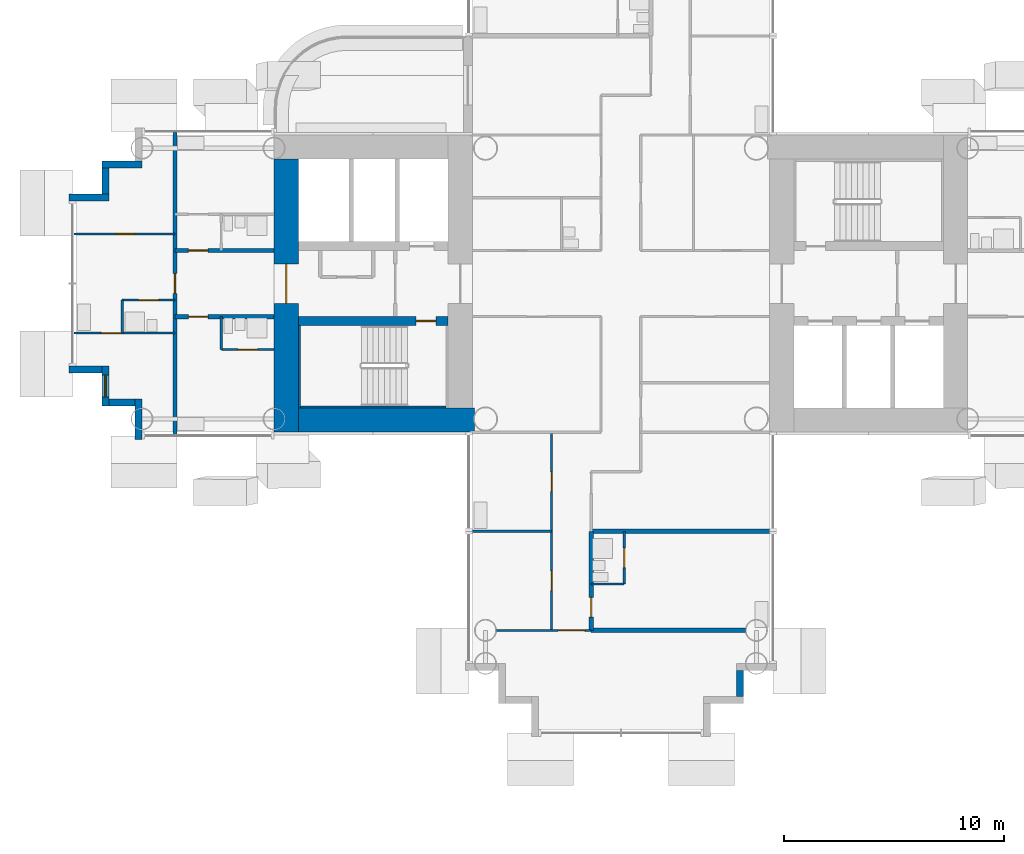
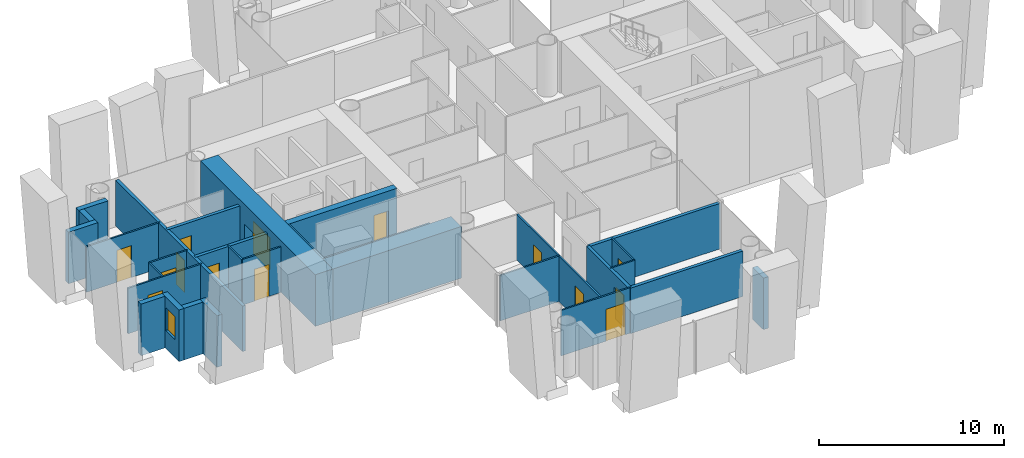
# One storey, part 10 of 25: 30 walls, 14 doors, 1 window, 15 openings.
"""IFC4 building model written with IfcOpenShell, lengths in metres."""

from ifc_helpers import new_model, si_unit, direction, frame, frame_2d, origin, place, context, subcontext, project, spatial, rectangle, extrude, material, layer, layer_set, type_object, element, fill, save


model = new_model("IFC4")

# Units and contexts
model_context = context("Model", 3, precision=1e-05, world=origin(), true_north=direction((0.0, 1.0)))
body_context = subcontext(model_context, "Body", "Model", "MODEL_VIEW")
ifc_project = project(units=[si_unit("LENGTHUNIT", "METRE"), si_unit("AREAUNIT", "SQUARE_METRE"), si_unit("VOLUMEUNIT", "CUBIC_METRE"), si_unit("PLANEANGLEUNIT", "RADIAN"), si_unit("MASSUNIT", "GRAM", prefix="KILO")], contexts=[model_context])

# Site, building, storey
site_placement = place(None, origin())
site = spatial("IfcSite", under=ifc_project, at=site_placement, CompositionType="ELEMENT")
building_placement = place(site_placement, origin())
building = spatial("IfcBuilding", under=site, at=building_placement, Name="Ipe Terrace Towers", CompositionType="ELEMENT")
storey_placement = place(building_placement, frame((0.0, 0.0, 58.5)))
storey = spatial("IfcBuildingStorey", under=building, at=storey_placement, Name="L15", CompositionType="ELEMENT", Elevation=58.5)

# Wall
ifc_material_1 = material(Name="Concrete C40/50 with buff precast cladding", Category="concrete")
ifc_layer_1 = layer(ifc_material_1, 0.320068359375)
ifc_layer_set_1 = layer_set([ifc_layer_1], Name="BUFF CLADDING WALL 320")
wall_type_1 = type_object("IfcWallType", Name="BUFF CLADDING WALL 320", PredefinedType="STANDARD", material=ifc_layer_set_1)
wall_1_placement = place(storey_placement, frame((-61.070068359375, -3.909912109375, -0.300048828125), z_axis=(0.0, 0.0, 1.0), x_axis=(1.0, 0.0, 0.0)))
element("IfcWall", 1, at=wall_1_placement, inside=storey, type_object=wall_type_1, Name="T1-W-L15-00a wall", PredefinedType="STANDARD", context=body_context, shape_type="SweptSolid", body=[
    extrude(rectangle(XDim=1.5, YDim=0.320068359375, at=frame_2d((0.75, 0.0))), origin(), (0.0, 0.0, 1.0), 3.400146484375),
])

# Wall, opening, window
wall_2_placement = place(storey_placement, frame((-59.409912109375, -3.75, -0.300048828125), z_axis=(0.0, 0.0, 1.0), x_axis=(0.0, -1.0, 0.0)))
wall_2 = element("IfcWall", 2, at=wall_2_placement, inside=storey, type_object=wall_type_1, Name="T1-W-L15-01a wall", PredefinedType="STANDARD", context=body_context, shape_type="SweptSolid", body=[
    extrude(rectangle(XDim=1.820068359375, YDim=0.320068359375, at=frame_2d((0.91015625, 0.0))), origin(), (0.0, 0.0, 1.0), 3.400146484375),
])
opening_1_placement = place(wall_2_placement, frame((0.409912109375, 0.0, 1.199951171875)))
opening_1 = element("IfcOpeningElement", 3, at=opening_1_placement, cuts=wall_2, Name="Opening T1-W-05-L15-01", PredefinedType="OPENING", context=body_context, shape_type="SweptSolid", body=[
    extrude(rectangle(XDim=1.0, YDim=1.5, at=frame_2d((0.5, 0.75))), frame((0.0, 0.169921875, 0.0), z_axis=(0.0, -1.0, 0.0), x_axis=(1.0, 0.0, 0.0)), (0.0, 0.0, 1.0), 0.340087890625),
])
ifc_material_2 = material(Name="Glass, clear laminated", Category="glass")
window_type = type_object("IfcWindowType", Name="DWELLING WINDOW 1000 x 1500", PartitioningType="SINGLE_PANEL", PredefinedType="WINDOW", material=ifc_material_2)
window_placement = place(opening_1_placement, origin())
window = element("IfcWindow", 4, at=window_placement, inside=storey, type_object=window_type, Name="W-05 window", OverallHeight=1.5, OverallWidth=1.0, PartitioningType="SINGLE_PANEL", PredefinedType="WINDOW", context=body_context, shape_type="SweptSolid", body=[
    extrude(rectangle(XDim=1.0, YDim=1.5, at=frame_2d((0.5, 0.75))), frame((0.0, 0.030029296875, 0.0), z_axis=(0.0, -1.0, 0.0), x_axis=(1.0, 0.0, 0.0)), (0.0, 0.0, 1.0), 0.06005859375),
])
fill(opening_1, window)

# Walls
wall_3_placement = place(storey_placement, frame((-59.25, -5.409912109375, -0.300048828125), z_axis=(0.0, 0.0, 1.0), x_axis=(1.0, 0.0, 0.0)))
element("IfcWall", 5, at=wall_3_placement, inside=storey, type_object=wall_type_1, Name="T1-W-L15-02a wall", PredefinedType="STANDARD", context=body_context, shape_type="SweptSolid", body=[
    extrude(rectangle(XDim=1.179931640625, YDim=0.320068359375, at=frame_2d((0.58984375, 0.0))), origin(), (0.0, 0.0, 1.0), 3.400146484375),
])
wall_4_placement = place(storey_placement, frame((-57.909912109375, -5.25, -0.300048828125), z_axis=(0.0, 0.0, 1.0), x_axis=(0.0, -1.0, 0.0)))
element("IfcWall", 6, at=wall_4_placement, inside=storey, type_object=wall_type_1, Name="T1-W-L15-03a wall", PredefinedType="STANDARD", context=body_context, shape_type="SweptSolid", body=[
    extrude(rectangle(XDim=1.820068359375, YDim=0.320068359375, at=frame_2d((0.91015625, 0.0))), origin(), (0.0, 0.0, 1.0), 3.400146484375),
])
wall_5_placement = place(storey_placement, frame((-30.590087890625, -18.75, -0.300048828125), z_axis=(0.0, 0.0, 1.0), x_axis=(0.0, 1.0, 0.0)))
element("IfcWall", 7, at=wall_5_placement, inside=storey, type_object=wall_type_1, Name="T1-W-L15-15a wall", PredefinedType="STANDARD", context=body_context, shape_type="SweptSolid", body=[
    extrude(rectangle(XDim=1.179931640625, YDim=0.320068359375, at=frame_2d((0.58984375, 0.0))), origin(), (0.0, 0.0, 1.0), 3.400146484375),
])
wall_6_placement = place(storey_placement, frame((-57.75, 5.409912109375, -0.300048828125), z_axis=(0.0, 0.0, 1.0), x_axis=(-1.0, 0.0, 0.0)))
element("IfcWall", 8, at=wall_6_placement, inside=storey, type_object=wall_type_1, Name="T1-W-L15-48a wall", PredefinedType="STANDARD", context=body_context, shape_type="SweptSolid", body=[
    extrude(rectangle(XDim=1.820068359375, YDim=0.320068359375, at=frame_2d((0.91015625, 0.0))), origin(), (0.0, 0.0, 1.0), 3.400146484375),
])
wall_7_placement = place(storey_placement, frame((-59.409912109375, 5.25, -0.300048828125), z_axis=(0.0, 0.0, 1.0), x_axis=(0.0, -1.0, 0.0)))
element("IfcWall", 9, at=wall_7_placement, inside=storey, type_object=wall_type_1, Name="T1-W-L15-49a wall", PredefinedType="STANDARD", context=body_context, shape_type="SweptSolid", body=[
    extrude(rectangle(XDim=1.179931640625, YDim=0.320068359375, at=frame_2d((0.58984375, 0.0))), origin(), (0.0, 0.0, 1.0), 3.400146484375),
])
wall_8_placement = place(storey_placement, frame((-59.25, 3.909912109375, -0.300048828125), z_axis=(0.0, 0.0, 1.0), x_axis=(-1.0, 0.0, 0.0)))
element("IfcWall", 10, at=wall_8_placement, inside=storey, type_object=wall_type_1, Name="T1-W-L15-50a wall", PredefinedType="STANDARD", context=body_context, shape_type="SweptSolid", body=[
    extrude(rectangle(XDim=1.820068359375, YDim=0.320068359375, at=frame_2d((0.91015625, 0.0))), origin(), (0.0, 0.0, 1.0), 3.400146484375),
])
ifc_material_3 = material(Name="Gypsum board partition", Category="plasterboard")
ifc_layer_2 = layer(ifc_material_3, 0.10009765625)
ifc_layer_set_2 = layer_set([ifc_layer_2], Name="Gypsum board partition 100 mm")
wall_type_2 = type_object("IfcWallType", Name="Gypsum board partition 100 mm", PredefinedType="PARTITIONING", material=ifc_layer_set_2)
for number, where, z_axis, x_axis, name in (
    (11, (-58.64990234375, -2.25, 0.0), (0.0, 0.0, 1.0), (0.0, 1.0, 0.0), "Gypsum board partition T1 L15 W01"),
    (12, (-54.14990234375, -3.0, 0.0), (0.0, 0.0, 1.0), (0.0, 1.0, 0.0), "Gypsum board partition T1 L15 W03"),
):
    element("IfcWall", number, at=place(storey_placement, frame(where, z_axis=z_axis, x_axis=x_axis)), inside=storey, type_object=wall_type_2, Name=name, PredefinedType="PARTITIONING", context=body_context, shape_type="SweptSolid", body=[
        extrude(rectangle(XDim=1.5, YDim=0.10009765625, at=frame_2d((0.75, 0.0))), origin(), (0.0, 0.0, 1.0), 3.0),
    ])

# Wall, openings, doors
wall_9_placement = place(storey_placement, frame((-39.14990234375, -15.75, 0.0), z_axis=(0.0, 0.0, 1.0), x_axis=(0.0, 1.0, 0.0)))
wall_9 = element("IfcWall", 13, at=wall_9_placement, inside=storey, type_object=wall_type_2, Name="Gypsum board partition T1 L15 W05", PredefinedType="PARTITIONING", context=body_context, shape_type="SweptSolid", body=[
    extrude(rectangle(XDim=9.0, YDim=0.10009765625, at=frame_2d((4.5, 0.0))), origin(), (0.0, 0.0, 1.0), 3.0),
])
opening_2_placement = place(wall_9_placement, frame((6.300048828125, 0.0, 0.0)))
opening_2 = element("IfcOpeningElement", 14, at=opening_2_placement, cuts=wall_9, Name="Opening T1-Z1D-18", PredefinedType="OPENING", context=body_context, shape_type="SweptSolid", body=[
    extrude(rectangle(XDim=0.89990234375, YDim=2.10009765625, at=frame_2d((0.449951171875, 1.050048828125))), frame((0.0, 0.06005859375, 0.0), z_axis=(0.0, -1.0, 0.0), x_axis=(1.0, 0.0, 0.0)), (0.0, 0.0, 1.0), 0.1201171875),
])
opening_3_placement = place(wall_9_placement, frame((1.800048828125, 0.0, 0.0)))
opening_3 = element("IfcOpeningElement", 15, at=opening_3_placement, cuts=wall_9, Name="Opening T1-Z1D-19", PredefinedType="OPENING", context=body_context, shape_type="SweptSolid", body=[
    extrude(rectangle(XDim=0.89990234375, YDim=2.10009765625, at=frame_2d((0.449951171875, 1.050048828125))), frame((0.0, 0.06005859375, 0.0), z_axis=(0.0, -1.0, 0.0), x_axis=(1.0, 0.0, 0.0)), (0.0, 0.0, 1.0), 0.1201171875),
])
ifc_material_4 = material(Name="Timber door leaf", Category="wood")
door_type_1 = type_object("IfcDoorType", Name="Lounge door 900 x 2100", OperationType="NOTDEFINED", PredefinedType="DOOR", material=ifc_material_4)
door_1_placement = place(opening_2_placement, origin())
door_1 = element("IfcDoor", 16, at=door_1_placement, inside=storey, type_object=door_type_1, Name="Lounge door T1-Z1D-18", OperationType="SINGLE_SWING_LEFT", OverallHeight=2.10009765625, OverallWidth=0.89990234375, PredefinedType="DOOR", context=body_context, shape_type="SweptSolid", body=[
    extrude(rectangle(XDim=0.89990234375, YDim=2.10009765625, at=frame_2d((0.449951171875, 1.050048828125))), frame((0.0, 0.02490234375, 0.0), z_axis=(0.0, -1.0, 0.0), x_axis=(1.0, 0.0, 0.0)), (0.0, 0.0, 1.0), 0.050048828125),
])
fill(opening_2, door_1)
door_2_placement = place(opening_3_placement, origin())
door_2 = element("IfcDoor", 17, at=door_2_placement, inside=storey, type_object=door_type_1, Name="Lounge door T1-Z1D-19", OperationType="SINGLE_SWING_RIGHT", OverallHeight=2.10009765625, OverallWidth=0.89990234375, PredefinedType="DOOR", context=body_context, shape_type="SweptSolid", body=[
    extrude(rectangle(XDim=0.89990234375, YDim=2.10009765625, at=frame_2d((0.449951171875, 1.050048828125))), frame((0.0, 0.02490234375, 0.0), z_axis=(0.0, -1.0, 0.0), x_axis=(1.0, 0.0, 0.0)), (0.0, 0.0, 1.0), 0.050048828125),
])
fill(opening_3, door_2)

# Wall, opening, door
wall_10_placement = place(storey_placement, frame((-35.85009765625, -13.64990234375, 0.0), z_axis=(0.0, 0.0, 1.0), x_axis=(0.0, 1.0, 0.0)))
wall_10 = element("IfcWall", 18, at=wall_10_placement, inside=storey, type_object=wall_type_2, Name="Gypsum board partition T1 L15 W12", PredefinedType="PARTITIONING", context=body_context, shape_type="SweptSolid", body=[
    extrude(rectangle(XDim=2.39990234375, YDim=0.10009765625, at=frame_2d((1.199951171875, 0.0))), origin(), (0.0, 0.0, 1.0), 3.0),
])
opening_4_placement = place(wall_10_placement, frame((0.75, 0.0, 0.0)))
opening_4 = element("IfcOpeningElement", 19, at=opening_4_placement, cuts=wall_10, Name="Opening T1-Z1D-17", PredefinedType="OPENING", context=body_context, shape_type="SweptSolid", body=[
    extrude(rectangle(XDim=0.89990234375, YDim=2.10009765625, at=frame_2d((0.449951171875, 1.050048828125))), frame((0.0, 0.06005859375, 0.0), z_axis=(0.0, -1.0, 0.0), x_axis=(1.0, 0.0, 0.0)), (0.0, 0.0, 1.0), 0.1201171875),
])
ifc_material_5 = material(Name="Timber door leaf", Category="wood")
door_type_2 = type_object("IfcDoorType", Name="Bathroom door 900 x 2100", OperationType="NOTDEFINED", PredefinedType="DOOR", material=ifc_material_5)
door_3_placement = place(opening_4_placement, origin())
door_3 = element("IfcDoor", 20, at=door_3_placement, inside=storey, type_object=door_type_2, Name="Bathroom door T1-Z1D-17", OperationType="SINGLE_SWING_LEFT", OverallHeight=2.10009765625, OverallWidth=0.89990234375, PredefinedType="DOOR", context=body_context, shape_type="SweptSolid", body=[
    extrude(rectangle(XDim=0.89990234375, YDim=2.10009765625, at=frame_2d((0.449951171875, 1.050048828125))), frame((0.0, 0.02490234375, 0.0), z_axis=(0.0, -1.0, 0.0), x_axis=(1.0, 0.0, 0.0)), (0.0, 0.0, 1.0), 0.050048828125),
])
fill(opening_4, door_3)

wall_11_placement = place(storey_placement, frame((-41.64990234375, -15.75, 0.0), z_axis=(0.0, 0.0, 1.0), x_axis=(1.0, 0.0, 0.0)))
wall_11 = element("IfcWall", 21, at=wall_11_placement, inside=storey, type_object=wall_type_2, Name="Gypsum board partition T1 L15 W22", PredefinedType="PARTITIONING", context=body_context, shape_type="SweptSolid", body=[
    extrude(rectangle(XDim=4.2998046875, YDim=0.10009765625, at=frame_2d((2.14990234375, 0.0))), origin(), (0.0, 0.0, 1.0), 3.0),
])
opening_5_placement = place(wall_11_placement, frame((2.800048828125, 0.0, 0.0)))
opening_5 = element("IfcOpeningElement", 22, at=opening_5_placement, cuts=wall_11, Name="Opening T1-Z1D-20", PredefinedType="OPENING", context=body_context, shape_type="SweptSolid", body=[
    extrude(rectangle(XDim=1.199951171875, YDim=2.10009765625, at=frame_2d((0.60009765625, 1.050048828125))), frame((0.0, 0.06005859375, 0.0), z_axis=(0.0, -1.0, 0.0), x_axis=(1.0, 0.0, 0.0)), (0.0, 0.0, 1.0), 0.1201171875),
])
ifc_material_6 = material(Name="Timber door leaf", Category="wood")
door_type_3 = type_object("IfcDoorType", Name="Lounge door 1200 x 2100", OperationType="NOTDEFINED", PredefinedType="DOOR", material=ifc_material_6)
door_4_placement = place(opening_5_placement, origin())
door_4 = element("IfcDoor", 23, at=door_4_placement, inside=storey, type_object=door_type_3, Name="Lounge door T1-Z1D-20", OperationType="SINGLE_SWING_RIGHT", OverallHeight=2.10009765625, OverallWidth=1.199951171875, PredefinedType="DOOR", context=body_context, shape_type="SweptSolid", body=[
    extrude(rectangle(XDim=1.199951171875, YDim=2.10009765625, at=frame_2d((0.60009765625, 1.050048828125))), frame((0.0, 0.02490234375, 0.0), z_axis=(0.0, -1.0, 0.0), x_axis=(1.0, 0.0, 0.0)), (0.0, 0.0, 1.0), 0.050048828125),
])
fill(opening_5, door_4)

# Walls
wall_12_placement = place(storey_placement, frame((-37.35009765625, -13.64990234375, 0.0), z_axis=(0.0, 0.0, 1.0), x_axis=(1.0, 0.0, 0.0)))
element("IfcWall", 24, at=wall_12_placement, inside=storey, type_object=wall_type_2, Name="Gypsum board partition T1 L15 W24", PredefinedType="PARTITIONING", context=body_context, shape_type="SweptSolid", body=[
    extrude(rectangle(XDim=1.5, YDim=0.10009765625, at=frame_2d((0.75, 0.0))), origin(), (0.0, 0.0, 1.0), 3.0),
])
wall_13_placement = place(storey_placement, frame((-42.85009765625, -11.25, 0.0), z_axis=(0.0, 0.0, 1.0), x_axis=(1.0, 0.0, 0.0)))
element("IfcWall", 25, at=wall_13_placement, inside=storey, type_object=wall_type_2, Name="Gypsum board partition T1 L15 W25", PredefinedType="PARTITIONING", context=body_context, shape_type="SweptSolid", body=[
    extrude(rectangle(XDim=3.7001953125, YDim=0.10009765625, at=frame_2d((1.85009765625, 0.0))), origin(), (0.0, 0.0, 1.0), 3.0),
])

# Wall, opening, door
wall_14_placement = place(storey_placement, frame((-54.14990234375, -3.0, 0.0), z_axis=(0.0, 0.0, 1.0), x_axis=(1.0, 0.0, 0.0)))
wall_14 = element("IfcWall", 26, at=wall_14_placement, inside=storey, type_object=wall_type_2, Name="Gypsum board partition T1 L15 W31", PredefinedType="PARTITIONING", context=body_context, shape_type="SweptSolid", body=[
    extrude(rectangle(XDim=2.39990234375, YDim=0.10009765625, at=frame_2d((1.199951171875, 0.0))), origin(), (0.0, 0.0, 1.0), 3.0),
])
opening_6_placement = place(wall_14_placement, frame((0.75, 0.0, 0.0)))
opening_6 = element("IfcOpeningElement", 27, at=opening_6_placement, cuts=wall_14, Name="Opening T1-Z1D-26", PredefinedType="OPENING", context=body_context, shape_type="SweptSolid", body=[
    extrude(rectangle(XDim=0.89990234375, YDim=2.10009765625, at=frame_2d((0.449951171875, 1.050048828125))), frame((0.0, 0.06005859375, 0.0), z_axis=(0.0, -1.0, 0.0), x_axis=(1.0, 0.0, 0.0)), (0.0, 0.0, 1.0), 0.1201171875),
])
door_5_placement = place(opening_6_placement, origin())
door_5 = element("IfcDoor", 28, at=door_5_placement, inside=storey, type_object=door_type_2, Name="Bathroom door T1-Z1D-26", OperationType="SINGLE_SWING_LEFT", OverallHeight=2.10009765625, OverallWidth=0.89990234375, PredefinedType="DOOR", context=body_context, shape_type="SweptSolid", body=[
    extrude(rectangle(XDim=0.89990234375, YDim=2.10009765625, at=frame_2d((0.449951171875, 1.050048828125))), frame((0.0, 0.02490234375, 0.0), z_axis=(0.0, -1.0, 0.0), x_axis=(1.0, 0.0, 0.0)), (0.0, 0.0, 1.0), 0.050048828125),
])
fill(opening_6, door_5)

wall_15_placement = place(storey_placement, frame((-60.85009765625, -2.25, 0.0), z_axis=(0.0, 0.0, 1.0), x_axis=(1.0, 0.0, 0.0)))
wall_15 = element("IfcWall", 29, at=wall_15_placement, inside=storey, type_object=wall_type_2, Name="Gypsum board partition T1 L15 W32", PredefinedType="PARTITIONING", context=body_context, shape_type="SweptSolid", body=[
    extrude(rectangle(XDim=4.60009765625, YDim=0.10009765625, at=frame_2d((2.300048828125, 0.0))), origin(), (0.0, 0.0, 1.0), 3.0),
])
opening_7_placement = place(wall_15_placement, frame((1.25, 0.0, 0.0)))
opening_7 = element("IfcOpeningElement", 30, at=opening_7_placement, cuts=wall_15, Name="Opening T1-Z1D-32", PredefinedType="OPENING", context=body_context, shape_type="SweptSolid", body=[
    extrude(rectangle(XDim=0.89990234375, YDim=2.10009765625, at=frame_2d((0.449951171875, 1.050048828125))), frame((0.0, 0.06005859375, 0.0), z_axis=(0.0, -1.0, 0.0), x_axis=(1.0, 0.0, 0.0)), (0.0, 0.0, 1.0), 0.1201171875),
])
ifc_material_7 = material(Name="Timber door leaf", Category="wood")
door_type_4 = type_object("IfcDoorType", Name="Bedroom door 900 x 2100", OperationType="NOTDEFINED", PredefinedType="DOOR", material=ifc_material_7)
door_6_placement = place(opening_7_placement, origin())
door_6 = element("IfcDoor", 31, at=door_6_placement, inside=storey, type_object=door_type_4, Name="Bedroom door T1-Z1D-32", OperationType="SINGLE_SWING_LEFT", OverallHeight=2.10009765625, OverallWidth=0.89990234375, PredefinedType="DOOR", context=body_context, shape_type="SweptSolid", body=[
    extrude(rectangle(XDim=0.89990234375, YDim=2.10009765625, at=frame_2d((0.449951171875, 1.050048828125))), frame((0.0, 0.02490234375, 0.0), z_axis=(0.0, -1.0, 0.0), x_axis=(1.0, 0.0, 0.0)), (0.0, 0.0, 1.0), 0.050048828125),
])
fill(opening_7, door_6)

wall_16_placement = place(storey_placement, frame((-58.64990234375, -0.75, 0.0), z_axis=(0.0, 0.0, 1.0), x_axis=(1.0, 0.0, 0.0)))
wall_16 = element("IfcWall", 32, at=wall_16_placement, inside=storey, type_object=wall_type_2, Name="Gypsum board partition T1 L15 W37", PredefinedType="PARTITIONING", context=body_context, shape_type="SweptSolid", body=[
    extrude(rectangle(XDim=2.39990234375, YDim=0.10009765625, at=frame_2d((1.199951171875, 0.0))), origin(), (0.0, 0.0, 1.0), 3.0),
])
opening_8_placement = place(wall_16_placement, frame((0.75, 0.0, 0.0)))
opening_8 = element("IfcOpeningElement", 33, at=opening_8_placement, cuts=wall_16, Name="Opening T1-Z1D-30", PredefinedType="OPENING", context=body_context, shape_type="SweptSolid", body=[
    extrude(rectangle(XDim=0.89990234375, YDim=2.10009765625, at=frame_2d((0.449951171875, 1.050048828125))), frame((0.0, 0.06005859375, 0.0), z_axis=(0.0, -1.0, 0.0), x_axis=(1.0, 0.0, 0.0)), (0.0, 0.0, 1.0), 0.1201171875),
])
door_7_placement = place(opening_8_placement, origin())
door_7 = element("IfcDoor", 34, at=door_7_placement, inside=storey, type_object=door_type_2, Name="Bathroom door T1-Z1D-30", OperationType="SINGLE_SWING_RIGHT", OverallHeight=2.10009765625, OverallWidth=0.89990234375, PredefinedType="DOOR", context=body_context, shape_type="SweptSolid", body=[
    extrude(rectangle(XDim=0.89990234375, YDim=2.10009765625, at=frame_2d((0.449951171875, 1.050048828125))), frame((0.0, 0.02490234375, 0.0), z_axis=(0.0, -1.0, 0.0), x_axis=(1.0, 0.0, 0.0)), (0.0, 0.0, 1.0), 0.050048828125),
])
fill(opening_8, door_7)

wall_17_placement = place(storey_placement, frame((-60.85009765625, 2.25, 0.0), z_axis=(0.0, 0.0, 1.0), x_axis=(1.0, 0.0, 0.0)))
wall_17 = element("IfcWall", 35, at=wall_17_placement, inside=storey, type_object=wall_type_2, Name="Gypsum board partition T1 L15 W42", PredefinedType="PARTITIONING", context=body_context, shape_type="SweptSolid", body=[
    extrude(rectangle(XDim=4.60009765625, YDim=0.10009765625, at=frame_2d((2.300048828125, 0.0))), origin(), (0.0, 0.0, 1.0), 3.0),
])
opening_9_placement = place(wall_17_placement, frame((1.89990234375, 0.0, 0.0)))
opening_9 = element("IfcOpeningElement", 36, at=opening_9_placement, cuts=wall_17, Name="Opening T1-Z1D-33", PredefinedType="OPENING", context=body_context, shape_type="SweptSolid", body=[
    extrude(rectangle(XDim=0.89990234375, YDim=2.10009765625, at=frame_2d((0.449951171875, 1.050048828125))), frame((0.0, 0.06005859375, 0.0), z_axis=(0.0, -1.0, 0.0), x_axis=(1.0, 0.0, 0.0)), (0.0, 0.0, 1.0), 0.1201171875),
])
door_8_placement = place(opening_9_placement, origin())
door_8 = element("IfcDoor", 37, at=door_8_placement, inside=storey, type_object=door_type_1, Name="Lounge door T1-Z1D-33", OperationType="SINGLE_SWING_LEFT", OverallHeight=2.10009765625, OverallWidth=0.89990234375, PredefinedType="DOOR", context=body_context, shape_type="SweptSolid", body=[
    extrude(rectangle(XDim=0.89990234375, YDim=2.10009765625, at=frame_2d((0.449951171875, 1.050048828125))), frame((0.0, 0.02490234375, 0.0), z_axis=(0.0, -1.0, 0.0), x_axis=(1.0, 0.0, 0.0)), (0.0, 0.0, 1.0), 0.050048828125),
])
fill(opening_9, door_8)

ifc_material_8 = material(Name="Gypsum board party wall", Category="plasterboard")
ifc_layer_3 = layer(ifc_material_8, 0.199951171875)
ifc_layer_set_3 = layer_set([ifc_layer_3], Name="Gypsum board party wall 200 mm")
wall_type_3 = type_object("IfcWallType", Name="Gypsum board party wall 200 mm", PredefinedType="SOLIDWALL", material=ifc_layer_set_3)
wall_18_placement = place(storey_placement, frame((-56.25, -6.85009765625, 0.0), z_axis=(0.0, 0.0, 1.0), x_axis=(0.0, 1.0, 0.0)))
wall_18 = element("IfcWall", 38, at=wall_18_placement, inside=storey, type_object=wall_type_3, Name="Gypsum board party wall T1 L15 W02", PredefinedType="SOLIDWALL", context=body_context, shape_type="SweptSolid", body=[
    extrude(rectangle(XDim=13.7001953125, YDim=0.199951171875, at=frame_2d((6.85009765625, 0.0))), origin(), (0.0, 0.0, 1.0), 3.0),
])
opening_10_placement = place(wall_18_placement, frame((6.39990234375, 0.0, 0.0)))
opening_10 = element("IfcOpeningElement", 39, at=opening_10_placement, cuts=wall_18, Name="Opening T1-Z1D-31", PredefinedType="OPENING", context=body_context, shape_type="SweptSolid", body=[
    extrude(rectangle(XDim=0.89990234375, YDim=2.10009765625, at=frame_2d((0.449951171875, 1.050048828125))), frame((0.0, 0.10986328125, 0.0), z_axis=(0.0, -1.0, 0.0), x_axis=(1.0, 0.0, 0.0)), (0.0, 0.0, 1.0), 0.219970703125),
])
ifc_material_9 = material(Name="Fire-rated timber door leaf", Category="wood")
door_type_5 = type_object("IfcDoorType", Name="Flat entrance door 900 x 2100 FD30S", OperationType="NOTDEFINED", PredefinedType="DOOR", material=ifc_material_9)
door_9_placement = place(opening_10_placement, origin())
door_9 = element("IfcDoor", 40, at=door_9_placement, inside=storey, type_object=door_type_5, Name="Flat entrance door T1-Z1D-31", OperationType="SINGLE_SWING_LEFT", OverallHeight=2.10009765625, OverallWidth=0.89990234375, PredefinedType="DOOR", context=body_context, shape_type="SweptSolid", body=[
    extrude(rectangle(XDim=0.89990234375, YDim=2.10009765625, at=frame_2d((0.449951171875, 1.050048828125))), frame((0.0, 0.02490234375, 0.0), z_axis=(0.0, -1.0, 0.0), x_axis=(1.0, 0.0, 0.0)), (0.0, 0.0, 1.0), 0.050048828125),
])
fill(opening_10, door_9)

wall_19_placement = place(storey_placement, frame((-37.35009765625, -15.75, 0.0), z_axis=(0.0, 0.0, 1.0), x_axis=(0.0, 1.0, 0.0)))
wall_19 = element("IfcWall", 41, at=wall_19_placement, inside=storey, type_object=wall_type_3, Name="Gypsum board party wall T1 L15 W08", PredefinedType="SOLIDWALL", context=body_context, shape_type="SweptSolid", body=[
    extrude(rectangle(XDim=4.5, YDim=0.199951171875, at=frame_2d((2.25, 0.0))), origin(), (0.0, 0.0, 1.0), 3.0),
])
opening_11_placement = place(wall_19_placement, frame((0.60009765625, 0.0, 0.0)))
opening_11 = element("IfcOpeningElement", 42, at=opening_11_placement, cuts=wall_19, Name="Opening T1-Z1D-16", PredefinedType="OPENING", context=body_context, shape_type="SweptSolid", body=[
    extrude(rectangle(XDim=0.89990234375, YDim=2.10009765625, at=frame_2d((0.449951171875, 1.050048828125))), frame((0.0, 0.10986328125, 0.0), z_axis=(0.0, -1.0, 0.0), x_axis=(1.0, 0.0, 0.0)), (0.0, 0.0, 1.0), 0.219970703125),
])
door_10_placement = place(opening_11_placement, origin())
door_10 = element("IfcDoor", 43, at=door_10_placement, inside=storey, type_object=door_type_5, Name="Flat entrance door T1-Z1D-16", OperationType="SINGLE_SWING_LEFT", OverallHeight=2.10009765625, OverallWidth=0.89990234375, PredefinedType="DOOR", context=body_context, shape_type="SweptSolid", body=[
    extrude(rectangle(XDim=0.89990234375, YDim=2.10009765625, at=frame_2d((0.449951171875, 1.050048828125))), frame((0.0, 0.02490234375, 0.0), z_axis=(0.0, -1.0, 0.0), x_axis=(1.0, 0.0, 0.0)), (0.0, 0.0, 1.0), 0.050048828125),
])
fill(opening_11, door_10)

# Walls
wall_20_placement = place(storey_placement, frame((-37.35009765625, -15.75, 0.0), z_axis=(0.0, 0.0, 1.0), x_axis=(1.0, 0.0, 0.0)))
element("IfcWall", 44, at=wall_20_placement, inside=storey, type_object=wall_type_3, Name="Gypsum board party wall T1 L15 W23", PredefinedType="SOLIDWALL", context=body_context, shape_type="SweptSolid", body=[
    extrude(rectangle(XDim=7.0, YDim=0.199951171875, at=frame_2d((3.5, 0.0))), origin(), (0.0, 0.0, 1.0), 3.0),
])
wall_21_placement = place(storey_placement, frame((-37.35009765625, -11.25, 0.0), z_axis=(0.0, 0.0, 1.0), x_axis=(1.0, 0.0, 0.0)))
element("IfcWall", 45, at=wall_21_placement, inside=storey, type_object=wall_type_3, Name="Gypsum board party wall T1 L15 W26", PredefinedType="SOLIDWALL", context=body_context, shape_type="SweptSolid", body=[
    extrude(rectangle(XDim=8.2001953125, YDim=0.199951171875, at=frame_2d((4.10009765625, 0.0))), origin(), (0.0, 0.0, 1.0), 3.0),
])

# Wall, opening, door
wall_22_placement = place(storey_placement, frame((-56.25, -1.5, 0.0), z_axis=(0.0, 0.0, 1.0), x_axis=(1.0, 0.0, 0.0)))
wall_22 = element("IfcWall", 46, at=wall_22_placement, inside=storey, type_object=wall_type_3, Name="Gypsum board party wall T1 L15 W36", PredefinedType="SOLIDWALL", context=body_context, shape_type="SweptSolid", body=[
    extrude(rectangle(XDim=4.5, YDim=0.199951171875, at=frame_2d((2.25, 0.0))), origin(), (0.0, 0.0, 1.0), 3.0),
])
opening_12_placement = place(wall_22_placement, frame((0.60009765625, 0.0, 0.0)))
opening_12 = element("IfcOpeningElement", 47, at=opening_12_placement, cuts=wall_22, Name="Opening T1-Z1D-25", PredefinedType="OPENING", context=body_context, shape_type="SweptSolid", body=[
    extrude(rectangle(XDim=0.89990234375, YDim=2.10009765625, at=frame_2d((0.449951171875, 1.050048828125))), frame((0.0, 0.10986328125, 0.0), z_axis=(0.0, -1.0, 0.0), x_axis=(1.0, 0.0, 0.0)), (0.0, 0.0, 1.0), 0.219970703125),
])
door_11_placement = place(opening_12_placement, origin())
door_11 = element("IfcDoor", 48, at=door_11_placement, inside=storey, type_object=door_type_5, Name="Flat entrance door T1-Z1D-25", OperationType="SINGLE_SWING_LEFT", OverallHeight=2.10009765625, OverallWidth=0.89990234375, PredefinedType="DOOR", context=body_context, shape_type="SweptSolid", body=[
    extrude(rectangle(XDim=0.89990234375, YDim=2.10009765625, at=frame_2d((0.449951171875, 1.050048828125))), frame((0.0, 0.02490234375, 0.0), z_axis=(0.0, -1.0, 0.0), x_axis=(1.0, 0.0, 0.0)), (0.0, 0.0, 1.0), 0.050048828125),
])
fill(opening_12, door_11)

wall_23_placement = place(storey_placement, frame((-56.25, 1.5, 0.0), z_axis=(0.0, 0.0, 1.0), x_axis=(1.0, 0.0, 0.0)))
wall_23 = element("IfcWall", 49, at=wall_23_placement, inside=storey, type_object=wall_type_3, Name="Gypsum board party wall T1 L15 W40", PredefinedType="SOLIDWALL", context=body_context, shape_type="SweptSolid", body=[
    extrude(rectangle(XDim=4.5, YDim=0.199951171875, at=frame_2d((2.25, 0.0))), origin(), (0.0, 0.0, 1.0), 3.0),
])
opening_13_placement = place(wall_23_placement, frame((0.60009765625, 0.0, 0.0)))
opening_13 = element("IfcOpeningElement", 50, at=opening_13_placement, cuts=wall_23, Name="Opening T1-Z1D-27", PredefinedType="OPENING", context=body_context, shape_type="SweptSolid", body=[
    extrude(rectangle(XDim=0.89990234375, YDim=2.10009765625, at=frame_2d((0.449951171875, 1.050048828125))), frame((0.0, 0.10986328125, 0.0), z_axis=(0.0, -1.0, 0.0), x_axis=(1.0, 0.0, 0.0)), (0.0, 0.0, 1.0), 0.219970703125),
])
door_12_placement = place(opening_13_placement, origin())
door_12 = element("IfcDoor", 51, at=door_12_placement, inside=storey, type_object=door_type_5, Name="Flat entrance door T1-Z1D-27", OperationType="SINGLE_SWING_RIGHT", OverallHeight=2.10009765625, OverallWidth=0.89990234375, PredefinedType="DOOR", context=body_context, shape_type="SweptSolid", body=[
    extrude(rectangle(XDim=0.89990234375, YDim=2.10009765625, at=frame_2d((0.449951171875, 1.050048828125))), frame((0.0, 0.02490234375, 0.0), z_axis=(0.0, -1.0, 0.0), x_axis=(1.0, 0.0, 0.0)), (0.0, 0.0, 1.0), 0.050048828125),
])
fill(opening_13, door_12)

# Walls
ifc_material_10 = material(Name="Concrete C60/75", Category="concrete")
ifc_layer_4 = layer(ifc_material_10, 0.10009765625)
ifc_layer_set_4 = layer_set([ifc_layer_4], Name="RW100 CORE INFILL WALL 100 C60-75")
wall_type_4 = type_object("IfcWallType", Name="RW100 CORE INFILL WALL 100 C60-75", PredefinedType="SHEAR", material=ifc_layer_set_4)
wall_24_placement = place(storey_placement, frame((-50.60009765625, -1.89990234375, 0.0), z_axis=(0.0, 0.0, 1.0), x_axis=(0.0, -1.0, 0.0)))
element("IfcWall", 52, at=wall_24_placement, inside=storey, type_object=wall_type_4, Name="Core infill wall T1-C2-far", PredefinedType="SHEAR", context=body_context, shape_type="SweptSolid", body=[
    extrude(rectangle(XDim=3.75, YDim=0.10009765625, at=frame_2d((1.875, 0.0))), origin(), (0.0, 0.0, 1.0), 3.39990234375),
])
wall_25_placement = place(storey_placement, frame((-43.949951171875, -5.60009765625, 0.0), z_axis=(0.0, 0.0, 1.0), x_axis=(-1.0, 0.0, 0.0)))
element("IfcWall", 53, at=wall_25_placement, inside=storey, type_object=wall_type_4, Name="Core infill wall T1-C2-back", PredefinedType="SHEAR", context=body_context, shape_type="SweptSolid", body=[
    extrude(rectangle(XDim=6.60009765625, YDim=0.10009765625, at=frame_2d((3.300048828125, 0.0))), origin(), (0.0, 0.0, 1.0), 3.39990234375),
])
ifc_material_11 = material(Name="Concrete C60/75", Category="concrete")
ifc_layer_5 = layer(ifc_material_11, 1.10009765625)
ifc_layer_set_5 = layer_set([ifc_layer_5], Name="RW1100 CORE WALL 1100 C60-75")
wall_type_5 = type_object("IfcWallType", Name="RW1100 CORE WALL 1100 C60-75", PredefinedType="SHEAR", material=ifc_layer_set_5)
wall_26_placement = place(storey_placement, frame((-50.64990234375, -6.199951171875, 0.0), z_axis=(0.0, 0.0, 1.0), x_axis=(1.0, 0.0, 0.0)))
element("IfcWall", 54, at=wall_26_placement, inside=storey, type_object=wall_type_5, Name="Core wall T1-C2-Z1-W01", PredefinedType="SHEAR", context=body_context, shape_type="SweptSolid", body=[
    extrude(rectangle(XDim=7.997802734375, YDim=1.10009765625, at=frame_2d((3.9990234375, 0.0))), origin(), (0.0, 0.0, 1.0), 3.39990234375),
])

# Wall, opening, door
wall_27_placement = place(storey_placement, frame((-51.199951171875, 5.64990234375, 0.0), z_axis=(0.0, 0.0, 1.0), x_axis=(0.0, -1.0, 0.0)))
wall_27 = element("IfcWall", 55, at=wall_27_placement, inside=storey, type_object=wall_type_5, Name="Core wall T1-C2-Z1-W04", PredefinedType="SHEAR", context=body_context, shape_type="SweptSolid", body=[
    extrude(rectangle(XDim=12.39990234375, YDim=1.10009765625, at=frame_2d((6.199951171875, 0.0))), origin(), (0.0, 0.0, 1.0), 3.39990234375),
])
opening_14_placement = place(wall_27_placement, frame((4.75, 0.0, 0.0)))
opening_14 = element("IfcOpeningElement", 56, at=opening_14_placement, cuts=wall_27, Name="Opening T1C2-FD", PredefinedType="OPENING", context=body_context, shape_type="SweptSolid", body=[
    extrude(rectangle(XDim=1.800048828125, YDim=2.10009765625, at=frame_2d((0.89990234375, 1.050048828125))), frame((0.0, 0.56005859375, 0.0), z_axis=(0.0, -1.0, 0.0), x_axis=(1.0, 0.0, 0.0)), (0.0, 0.0, 1.0), 1.1201171875),
])
ifc_material_12 = material(Name="Fire-rated timber door leaf", Category="wood")
door_type_6 = type_object("IfcDoorType", Name="Fire door 1800 x 2100 FD30S", OperationType="NOTDEFINED", PredefinedType="DOOR", material=ifc_material_12)
door_13_placement = place(opening_14_placement, origin())
door_13 = element("IfcDoor", 57, at=door_13_placement, inside=storey, type_object=door_type_6, Name="Fire door T1C2-FD", OperationType="SINGLE_SWING_LEFT", OverallHeight=2.10009765625, OverallWidth=1.800048828125, PredefinedType="DOOR", context=body_context, shape_type="SweptSolid", body=[
    extrude(rectangle(XDim=1.800048828125, YDim=2.10009765625, at=frame_2d((0.89990234375, 1.050048828125))), frame((0.0, 0.02490234375, 0.0), z_axis=(0.0, -1.0, 0.0), x_axis=(1.0, 0.0, 0.0)), (0.0, 0.0, 1.0), 0.050048828125),
])
fill(opening_14, door_13)

ifc_material_13 = material(Name="Concrete C60/75", Category="concrete")
ifc_layer_6 = layer(ifc_material_13, 0.39990234375)
ifc_layer_set_6 = layer_set([ifc_layer_6], Name="RW400 CORE SPINE WALL 400 C60-75")
wall_type_6 = type_object("IfcWallType", Name="RW400 CORE SPINE WALL 400 C60-75", PredefinedType="SHEAR", material=ifc_layer_set_6)
wall_28_placement = place(storey_placement, frame((-50.64990234375, -1.699951171875, 0.0), z_axis=(0.0, 0.0, 1.0), x_axis=(1.0, 0.0, 0.0)))
wall_28 = element("IfcWall", 58, at=wall_28_placement, inside=storey, type_object=wall_type_6, Name="Core spine wall T1-C2-Z1-SW1", PredefinedType="SHEAR", context=body_context, shape_type="SweptSolid", body=[
    extrude(rectangle(XDim=6.7998046875, YDim=0.39990234375, at=frame_2d((3.39990234375, 0.0))), origin(), (0.0, 0.0, 1.0), 3.39990234375),
])
opening_15_placement = place(wall_28_placement, frame((5.35009765625, 0.0, 0.0)))
opening_15 = element("IfcOpeningElement", 59, at=opening_15_placement, cuts=wall_28, Name="Opening T1C2-SD", PredefinedType="OPENING", context=body_context, shape_type="SweptSolid", body=[
    extrude(rectangle(XDim=0.89990234375, YDim=2.10009765625, at=frame_2d((0.449951171875, 1.050048828125))), frame((0.0, 0.2099609375, 0.0), z_axis=(0.0, -1.0, 0.0), x_axis=(1.0, 0.0, 0.0)), (0.0, 0.0, 1.0), 0.419921875),
])
ifc_material_14 = material(Name="Fire-rated timber door leaf", Category="wood")
door_type_7 = type_object("IfcDoorType", Name="Stair door 900 x 2100 FD60", OperationType="NOTDEFINED", PredefinedType="DOOR", material=ifc_material_14)
door_14_placement = place(opening_15_placement, origin())
door_14 = element("IfcDoor", 60, at=door_14_placement, inside=storey, type_object=door_type_7, Name="Stair door T1C2-SD", OperationType="SINGLE_SWING_RIGHT", OverallHeight=2.10009765625, OverallWidth=0.89990234375, PredefinedType="DOOR", context=body_context, shape_type="SweptSolid", body=[
    extrude(rectangle(XDim=0.89990234375, YDim=2.10009765625, at=frame_2d((0.449951171875, 1.050048828125))), frame((0.0, 0.02490234375, 0.0), z_axis=(0.0, -1.0, 0.0), x_axis=(1.0, 0.0, 0.0)), (0.0, 0.0, 1.0), 0.050048828125),
])
fill(opening_15, door_14)

save(model, "model.ifc")
